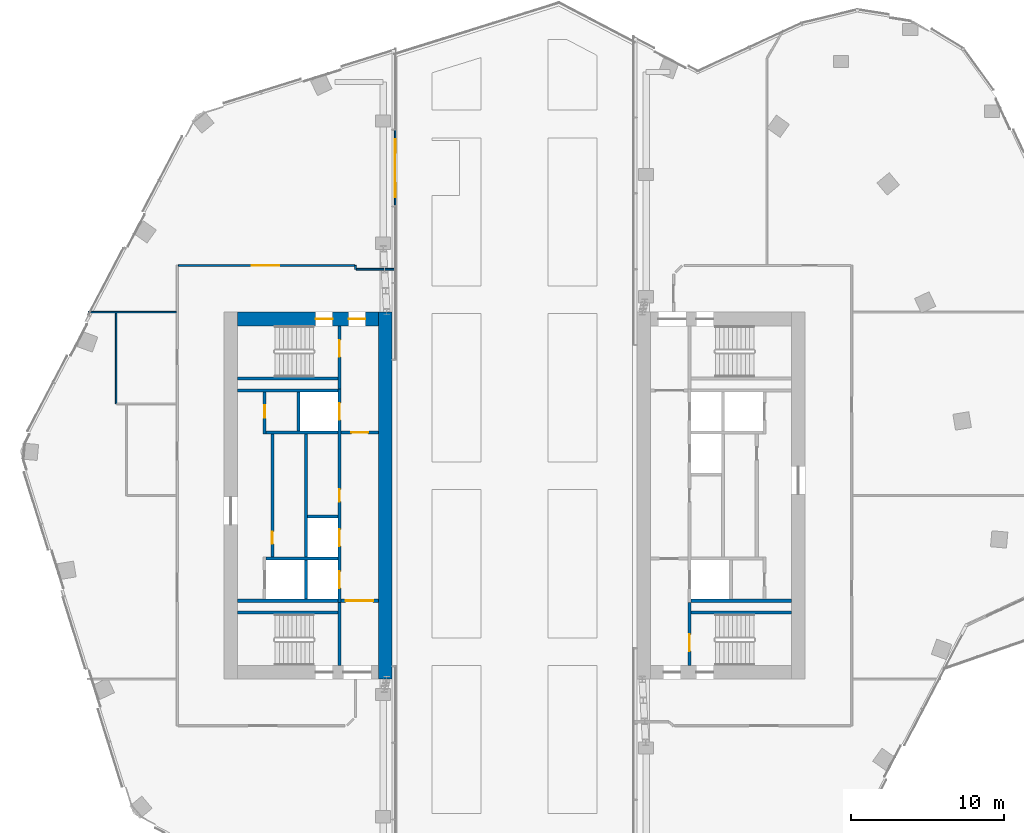
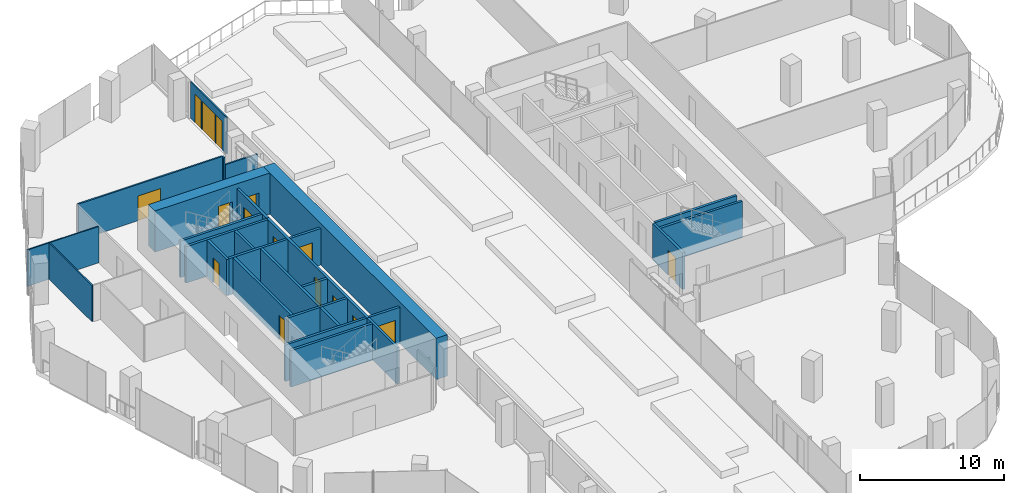
# One storey, part 20 of 26: 28 walls, 14 doors, 2 windows, 16 openings.
"""IFC4 building model written with IfcOpenShell, lengths in metres."""

from ifc_helpers import new_model, si_unit, direction, frame, frame_2d, origin, place, context, subcontext, project, spatial, rectangle, extrude, material, layer, layer_set, type_object, element, fill, save


model = new_model("IFC4")

# Units and contexts
model_context = context("Model", 3, precision=1e-05, world=origin(), true_north=direction((0.0, 1.0)))
body_context = subcontext(model_context, "Body", "Model", "MODEL_VIEW")
ifc_project = project(units=[si_unit("LENGTHUNIT", "METRE"), si_unit("AREAUNIT", "SQUARE_METRE"), si_unit("VOLUMEUNIT", "CUBIC_METRE"), si_unit("PLANEANGLEUNIT", "RADIAN"), si_unit("MASSUNIT", "GRAM", prefix="KILO")], contexts=[model_context])

# Site, building, storey
site_placement = place(None, origin())
site = spatial("IfcSite", under=ifc_project, at=site_placement, CompositionType="ELEMENT")
building_placement = place(site_placement, origin())
building = spatial("IfcBuilding", under=site, at=building_placement, Name="Orlundy Tower", CompositionType="ELEMENT")
storey_placement = place(building_placement, frame((0.0, 0.0, 253.5)))
storey = spatial("IfcBuildingStorey", under=building, at=storey_placement, Name="L67", CompositionType="ELEMENT", Elevation=253.5)

# Wall, openings, doors
ifc_material_1 = material(Name="Concrete C60/75", Category="concrete")
ifc_layer_1 = layer(ifc_material_1, 0.89990234375)
ifc_layer_set_1 = layer_set([ifc_layer_1], Name="CORE WALL 900 C60/75")
wall_type_1 = type_object("IfcWallType", Name="CORE WALL 900 C60/75", PredefinedType="SHEAR", material=ifc_layer_set_1)
wall_1_placement = place(storey_placement, frame((-18.10009765625, 11.550048828125, 0.0), z_axis=(0.0, 0.0, 1.0), x_axis=(1.0, 0.0, 0.0)))
wall_1 = element("IfcWall", 1, at=wall_1_placement, inside=storey, type_object=wall_type_1, Name="Core wall W-N L67", PredefinedType="SHEAR", context=body_context, shape_type="SweptSolid", body=[
    extrude(rectangle(XDim=9.2001953125, YDim=0.89990234375, at=frame_2d((4.60009765625, 0.0))), origin(), (0.0, 0.0, 1.0), 3.5),
])
opening_1_placement = place(wall_1_placement, frame((7.25, 0.0, 0.0)))
opening_1 = element("IfcOpeningElement", 2, at=opening_1_placement, cuts=wall_1, Name="Opening 51009", PredefinedType="OPENING", context=body_context, shape_type="SweptSolid", body=[
    extrude(rectangle(XDim=1.10009765625, YDim=2.10009765625, at=frame_2d((0.550048828125, 1.050048828125))), frame((0.0, 0.4599609375, 0.0), z_axis=(0.0, -1.0, 0.0), x_axis=(1.0, 0.0, 0.0)), (0.0, 0.0, 1.0), 0.919921875),
])
opening_2_placement = place(wall_1_placement, frame((5.10009765625, 0.0, 0.0)))
opening_2 = element("IfcOpeningElement", 3, at=opening_2_placement, cuts=wall_1, Name="Opening 51013", PredefinedType="OPENING", context=body_context, shape_type="SweptSolid", body=[
    extrude(rectangle(XDim=1.10009765625, YDim=2.10009765625, at=frame_2d((0.550048828125, 1.050048828125))), frame((0.0, 0.4599609375, 0.0), z_axis=(0.0, -1.0, 0.0), x_axis=(1.0, 0.0, 0.0)), (0.0, 0.0, 1.0), 0.919921875),
])
ifc_material_2 = material(Name="Steel door set", Category="steel")
door_type_1 = type_object("IfcDoorType", Name="Fire-fighting Lobby Door 1100x2100", OperationType="SINGLE_SWING_LEFT", PredefinedType="DOOR", material=ifc_material_2)
door_1_placement = place(opening_1_placement, origin())
door_1 = element("IfcDoor", 4, at=door_1_placement, inside=storey, type_object=door_type_1, Name="Fire-fighting lobby door 51009", OperationType="SINGLE_SWING_RIGHT", OverallHeight=2.10009765625, OverallWidth=1.10009765625, PredefinedType="DOOR", context=body_context, shape_type="SweptSolid", body=[
    extrude(rectangle(XDim=1.10009765625, YDim=2.10009765625, at=frame_2d((0.550048828125, 1.050048828125))), frame((0.0, 0.02490234375, 0.0), z_axis=(0.0, -1.0, 0.0), x_axis=(1.0, 0.0, 0.0)), (0.0, 0.0, 1.0), 0.050048828125),
])
fill(opening_1, door_1)
ifc_material_3 = material(Name="Steel door set", Category="steel")
door_type_2 = type_object("IfcDoorType", Name="Stair Door 1100x2100", OperationType="SINGLE_SWING_LEFT", PredefinedType="DOOR", material=ifc_material_3)
door_2_placement = place(opening_2_placement, origin())
door_2 = element("IfcDoor", 5, at=door_2_placement, inside=storey, type_object=door_type_2, Name="Stair door 51013", OperationType="SINGLE_SWING_RIGHT", OverallHeight=2.10009765625, OverallWidth=1.10009765625, PredefinedType="DOOR", context=body_context, shape_type="SweptSolid", body=[
    extrude(rectangle(XDim=1.10009765625, YDim=2.10009765625, at=frame_2d((0.550048828125, 1.050048828125))), frame((0.0, 0.02490234375, 0.0), z_axis=(0.0, -1.0, 0.0), x_axis=(1.0, 0.0, 0.0)), (0.0, 0.0, 1.0), 0.050048828125),
])
fill(opening_2, door_2)

# Walls
wall_2_placement = place(storey_placement, frame((-8.449951171875, -12.0, 0.0), z_axis=(0.0, 0.0, 1.0), x_axis=(0.0, 1.0, 0.0)))
element("IfcWall", 6, at=wall_2_placement, inside=storey, type_object=wall_type_1, Name="Core wall W-E L67", PredefinedType="SHEAR", context=body_context, shape_type="SweptSolid", body=[
    extrude(rectangle(XDim=24.0, YDim=0.89990234375, at=frame_2d((12.0, 0.0))), origin(), (0.0, 0.0, 1.0), 3.5),
])
ifc_material_4 = material(Name="Gypsum board partition")
ifc_layer_2 = layer(ifc_material_4, 0.10009765625)
ifc_layer_set_2 = layer_set([ifc_layer_2], Name="Floor partition 100")
wall_type_2 = type_object("IfcWallType", Name="Floor partition 100", PredefinedType="PARTITIONING", material=ifc_layer_set_2)
wall_3_placement = place(storey_placement, frame((-27.864013671875, 12.0, 0.0), z_axis=(0.0, 0.0, 1.0), x_axis=(1.0, 0.0, 0.0)))
element("IfcWall", 7, at=wall_3_placement, inside=storey, type_object=wall_type_2, Name="wall-int-L67-009", PredefinedType="PARTITIONING", context=body_context, shape_type="SweptSolid", body=[
    extrude(rectangle(XDim=5.7509765625, YDim=0.10009765625, at=frame_2d((2.87548828125, 0.0))), origin(), (0.0, 0.0, 1.0), 3.080078125),
])
wall_4_placement = place(storey_placement, frame((-26.048095703125, 6.0009765625, 0.0), z_axis=(0.0, 0.0, 1.0), x_axis=(0.0, 1.0, 0.0)))
element("IfcWall", 8, at=wall_4_placement, inside=storey, type_object=wall_type_2, Name="wall-int-L67-025", PredefinedType="PARTITIONING", context=body_context, shape_type="SweptSolid", body=[
    extrude(rectangle(XDim=5.948974609375, YDim=0.10009765625, at=frame_2d((2.974609375, 0.0))), origin(), (0.0, 0.0, 1.0), 3.080078125),
])

# Wall, opening, door
ifc_material_5 = material(Name="Gypsum board partition, double layer")
ifc_layer_3 = layer(ifc_material_5, 0.125)
ifc_layer_set_3 = layer_set([ifc_layer_3], Name="Floor partition 125")
wall_type_3 = type_object("IfcWallType", Name="Floor partition 125", PredefinedType="PARTITIONING", material=ifc_layer_set_3)
wall_5_placement = place(storey_placement, frame((-21.988037109375, 15.051025390625, 0.0), z_axis=(0.0, 0.0, 1.0), x_axis=(1.0, 0.0, 0.0)))
wall_5 = element("IfcWall", 9, at=wall_5_placement, inside=storey, type_object=wall_type_3, Name="wall-int-L67-012", PredefinedType="PARTITIONING", context=body_context, shape_type="SweptSolid", body=[
    extrude(rectangle(XDim=11.525146484375, YDim=0.125, at=frame_2d((5.7626953125, 0.0))), origin(), (0.0, 0.0, 1.0), 3.080078125),
])
opening_3_placement = place(wall_5_placement, frame((4.78759765625, 0.0, 0.0)))
opening_3 = element("IfcOpeningElement", 10, at=opening_3_placement, cuts=wall_5, Name="Opening 51106", PredefinedType="OPENING", context=body_context, shape_type="SweptSolid", body=[
    extrude(rectangle(XDim=1.800048828125, YDim=2.10009765625, at=frame_2d((0.89990234375, 1.050048828125))), frame((0.0, 0.072509765625, 0.0), z_axis=(0.0, -1.0, 0.0), x_axis=(1.0, 0.0, 0.0)), (0.0, 0.0, 1.0), 0.14501953125),
])
ifc_material_6 = material(Name="Timber door leaf", Category="wood")
door_type_3 = type_object("IfcDoorType", Name="Floor door double 1800 FD30S", OperationType="NOTDEFINED", PredefinedType="DOOR", material=ifc_material_6)
door_3_placement = place(opening_3_placement, origin())
door_3 = element("IfcDoor", 11, at=door_3_placement, inside=storey, type_object=door_type_3, Name="Door 51106", OperationType="DOUBLE_DOOR_SINGLE_SWING", OverallHeight=2.10009765625, OverallWidth=1.800048828125, PredefinedType="DOOR", context=body_context, shape_type="SweptSolid", body=[
    extrude(rectangle(XDim=1.800048828125, YDim=2.10009765625, at=frame_2d((0.89990234375, 1.050048828125))), frame((0.0, 0.02490234375, 0.0), z_axis=(0.0, -1.0, 0.0), x_axis=(1.0, 0.0, 0.0)), (0.0, 0.0, 1.0), 0.050048828125),
])
fill(opening_3, door_3)

# Walls
wall_6_placement = place(storey_placement, frame((-10.39892578125, 14.801025390625, 0.0), z_axis=(0.0, 0.0, 1.0), x_axis=(0.0, 1.0, 0.0)))
element("IfcWall", 12, at=wall_6_placement, inside=storey, type_object=wall_type_3, Name="wall-int-L67-022", PredefinedType="PARTITIONING", context=body_context, shape_type="SweptSolid", body=[
    extrude(rectangle(XDim=0.2490234375, YDim=0.125, at=frame_2d((0.12451171875, 0.0))), origin(), (0.0, 0.0, 1.0), 3.080078125),
])
ifc_material_7 = material(Name="Gypsum board partition, double layer")
ifc_layer_4 = layer(ifc_material_7, 0.125)
ifc_layer_set_4 = layer_set([ifc_layer_4], Name="Floor partition 125 B")
wall_type_4 = type_object("IfcWallType", Name="Floor partition 125 B", PredefinedType="PARTITIONING", material=ifc_layer_set_4)
wall_7_placement = place(storey_placement, frame((-10.3359375, 14.801025390625, 0.0), z_axis=(0.0, 0.0, 1.0), x_axis=(1.0, 0.0, 0.0)))
element("IfcWall", 13, at=wall_7_placement, inside=storey, type_object=wall_type_4, Name="wall-int-L67-011", PredefinedType="PARTITIONING", context=body_context, shape_type="SweptSolid", body=[
    extrude(rectangle(XDim=2.5859375, YDim=0.125, at=frame_2d((1.29296875, 0.0))), origin(), (0.0, 0.0, 1.0), 2.496337890625),
])

# Wall, openings, windows, door
ifc_material_8 = material(Name="Aluminium bronze and tinted glass", Category="aluminium")
ifc_layer_5 = layer(ifc_material_8, 0.10009765625)
ifc_layer_set_5 = layer_set([ifc_layer_5], Name="Glazed door screen")
wall_type_5 = type_object("IfcWallType", Name="Glazed door screen", PredefinedType="STANDARD", material=ifc_layer_set_5)
wall_8_placement = place(storey_placement, frame((-7.81005859375, 23.919189453125, 0.0), z_axis=(0.0, 0.0, 1.0), x_axis=(0.0, -1.0, 0.0)))
wall_8 = element("IfcWall", 14, at=wall_8_placement, inside=storey, type_object=wall_type_5, Name="Glazed door screen", PredefinedType="STANDARD", context=body_context, shape_type="SweptSolid", body=[
    extrude(rectangle(XDim=5.010986328125, YDim=0.10009765625, at=frame_2d((2.50537109375, 0.0))), origin(), (0.0, 0.0, 1.0), 3.10009765625),
])
opening_4_placement = place(wall_8_placement, frame((1.60546875, 0.0, 0.0)))
opening_4 = element("IfcOpeningElement", 15, at=opening_4_placement, cuts=wall_8, Name="Opening 51940", PredefinedType="OPENING", context=body_context, shape_type="SweptSolid", body=[
    extrude(rectangle(XDim=1.800048828125, YDim=2.39990234375, at=frame_2d((0.89990234375, 1.199951171875))), frame((0.0, 0.06005859375, 0.0), z_axis=(0.0, -1.0, 0.0), x_axis=(1.0, 0.0, 0.0)), (0.0, 0.0, 1.0), 0.1201171875),
])
opening_5_placement = place(wall_8_placement, frame((0.60546875, 0.0, 0.0)))
opening_5 = element("IfcOpeningElement", 16, at=opening_5_placement, cuts=wall_8, Name="Opening W02", PredefinedType="OPENING", context=body_context, shape_type="SweptSolid", body=[
    extrude(rectangle(XDim=0.89990234375, YDim=2.39990234375, at=frame_2d((0.449951171875, 1.199951171875))), frame((0.0, 0.06005859375, 0.0), z_axis=(0.0, -1.0, 0.0), x_axis=(1.0, 0.0, 0.0)), (0.0, 0.0, 1.0), 0.1201171875),
])
opening_6_placement = place(wall_8_placement, frame((3.50537109375, 0.0, 0.0)))
opening_6 = element("IfcOpeningElement", 17, at=opening_6_placement, cuts=wall_8, Name="Opening W02", PredefinedType="OPENING", context=body_context, shape_type="SweptSolid", body=[
    extrude(rectangle(XDim=0.89990234375, YDim=2.39990234375, at=frame_2d((0.449951171875, 1.199951171875))), frame((0.0, 0.06005859375, 0.0), z_axis=(0.0, -1.0, 0.0), x_axis=(1.0, 0.0, 0.0)), (0.0, 0.0, 1.0), 0.1201171875),
])
ifc_material_9 = material(Name="Tinted glass in bronze aluminium frame", Category="aluminium")
window_type = type_object("IfcWindowType", Name="SL2 sidelight 900x2400", PartitioningType="SINGLE_PANEL", PredefinedType="WINDOW", material=ifc_material_9)
window_1_placement = place(opening_5_placement, origin())
window_1 = element("IfcWindow", 18, at=window_1_placement, inside=storey, type_object=window_type, Name="Window W02 L67", OverallHeight=2.39990234375, OverallWidth=0.89990234375, PartitioningType="SINGLE_PANEL", PredefinedType="WINDOW", context=body_context, shape_type="SweptSolid", body=[
    extrude(rectangle(XDim=0.89990234375, YDim=2.39990234375, at=frame_2d((0.449951171875, 1.199951171875))), frame((0.0, 0.030029296875, 0.0), z_axis=(0.0, -1.0, 0.0), x_axis=(1.0, 0.0, 0.0)), (0.0, 0.0, 1.0), 0.06005859375),
])
fill(opening_5, window_1)
window_2_placement = place(opening_6_placement, origin())
window_2 = element("IfcWindow", 19, at=window_2_placement, inside=storey, type_object=window_type, Name="Window W02 L67", OverallHeight=2.39990234375, OverallWidth=0.89990234375, PartitioningType="SINGLE_PANEL", PredefinedType="WINDOW", context=body_context, shape_type="SweptSolid", body=[
    extrude(rectangle(XDim=0.89990234375, YDim=2.39990234375, at=frame_2d((0.449951171875, 1.199951171875))), frame((0.0, 0.030029296875, 0.0), z_axis=(0.0, -1.0, 0.0), x_axis=(1.0, 0.0, 0.0)), (0.0, 0.0, 1.0), 0.06005859375),
])
fill(opening_6, window_2)
ifc_material_10 = material(Name="Aluminium bronze and tinted glass", Category="aluminium")
door_type_4 = type_object("IfcDoorType", Name="TD1 terrace door 1800x2400", OperationType="NOTDEFINED", PredefinedType="DOOR", material=ifc_material_10)
door_4_placement = place(opening_4_placement, origin())
door_4 = element("IfcDoor", 20, at=door_4_placement, inside=storey, type_object=door_type_4, Name="Door 51940", OperationType="DOUBLE_DOOR_SINGLE_SWING", OverallHeight=2.39990234375, OverallWidth=1.800048828125, PredefinedType="DOOR", context=body_context, shape_type="SweptSolid", body=[
    extrude(rectangle(XDim=1.800048828125, YDim=2.39990234375, at=frame_2d((0.89990234375, 1.199951171875))), frame((0.0, 0.02490234375, 0.0), z_axis=(0.0, -1.0, 0.0), x_axis=(1.0, 0.0, 0.0)), (0.0, 0.0, 1.0), 0.050048828125),
])
fill(opening_4, door_4)

# Wall, opening, door
ifc_material_11 = material(Name="Concrete C40/50", Category="concrete")
ifc_layer_6 = layer(ifc_material_11, 0.199951171875)
ifc_layer_set_6 = layer_set([ifc_layer_6], Name="Load-bearing Shaft Wall 200")
wall_type_6 = type_object("IfcWallType", Name="Load-bearing Shaft Wall 200", PredefinedType="SOLIDWALL", material=ifc_layer_set_6)
wall_9_placement = place(storey_placement, frame((-11.43994140625, 6.97509765625, 0.0), z_axis=(0.0, 0.0, 1.0), x_axis=(0.0, 1.0, 0.0)))
wall_9 = element("IfcWall", 21, at=wall_9_placement, inside=storey, type_object=wall_type_6, Name="Shaft wall W51-stair-end-n", PredefinedType="SOLIDWALL", context=body_context, shape_type="SweptSolid", body=[
    extrude(rectangle(XDim=4.125, YDim=0.199951171875, at=frame_2d((2.0625, 0.0))), origin(), (0.0, 0.0, 1.0), 3.090087890625),
])
opening_7_placement = place(wall_9_placement, frame((2.10009765625, 0.0, 0.0)))
opening_7 = element("IfcOpeningElement", 22, at=opening_7_placement, cuts=wall_9, Name="Opening 51015", PredefinedType="OPENING", context=body_context, shape_type="SweptSolid", body=[
    extrude(rectangle(XDim=1.10009765625, YDim=2.10009765625, at=frame_2d((0.550048828125, 1.050048828125))), frame((0.0, 0.110107421875, 0.0), z_axis=(0.0, -1.0, 0.0), x_axis=(1.0, 0.0, 0.0)), (0.0, 0.0, 1.0), 0.22021484375),
])
door_5_placement = place(opening_7_placement, origin())
door_5 = element("IfcDoor", 23, at=door_5_placement, inside=storey, type_object=door_type_1, Name="Fire-fighting lobby to stair door 51015", OperationType="SINGLE_SWING_RIGHT", OverallHeight=2.10009765625, OverallWidth=1.10009765625, PredefinedType="DOOR", context=body_context, shape_type="SweptSolid", body=[
    extrude(rectangle(XDim=1.10009765625, YDim=2.10009765625, at=frame_2d((0.550048828125, 1.050048828125))), frame((0.0, 0.02490234375, 0.0), z_axis=(0.0, -1.0, 0.0), x_axis=(1.0, 0.0, 0.0)), (0.0, 0.0, 1.0), 0.050048828125),
])
fill(opening_7, door_5)

# Walls
wall_10_placement = place(storey_placement, frame((-11.5400390625, 7.64990234375, 0.0), z_axis=(0.0, 0.0, 1.0), x_axis=(-1.0, 0.0, 0.0)))
element("IfcWall", 24, at=wall_10_placement, inside=storey, type_object=wall_type_6, Name="Shaft wall W51-stair-side-n", PredefinedType="SOLIDWALL", context=body_context, shape_type="SweptSolid", body=[
    extrude(rectangle(XDim=6.56005859375, YDim=0.199951171875, at=frame_2d((3.280029296875, 0.0))), origin(), (0.0, 0.0, 1.0), 3.090087890625),
])
wall_11_placement = place(storey_placement, frame((-11.43994140625, -11.10009765625, 0.0), z_axis=(0.0, 0.0, 1.0), x_axis=(0.0, 1.0, 0.0)))
element("IfcWall", 25, at=wall_11_placement, inside=storey, type_object=wall_type_6, Name="Shaft wall W51-stair-end-s", PredefinedType="SOLIDWALL", context=body_context, shape_type="SweptSolid", body=[
    extrude(rectangle(XDim=4.125, YDim=0.199951171875, at=frame_2d((2.0625, 0.0))), origin(), (0.0, 0.0, 1.0), 3.090087890625),
])
wall_12_placement = place(storey_placement, frame((-11.5400390625, -7.64990234375, 0.0), z_axis=(0.0, 0.0, 1.0), x_axis=(-1.0, 0.0, 0.0)))
element("IfcWall", 26, at=wall_12_placement, inside=storey, type_object=wall_type_6, Name="Shaft wall W51-stair-side-s", PredefinedType="SOLIDWALL", context=body_context, shape_type="SweptSolid", body=[
    extrude(rectangle(XDim=6.56005859375, YDim=0.199951171875, at=frame_2d((3.280029296875, 0.0))), origin(), (0.0, 0.0, 1.0), 3.090087890625),
])

# Wall, opening, door
wall_13_placement = place(storey_placement, frame((11.43994140625, -6.97509765625, 0.0), z_axis=(0.0, 0.0, 1.0), x_axis=(0.0, -1.0, 0.0)))
wall_13 = element("IfcWall", 27, at=wall_13_placement, inside=storey, type_object=wall_type_6, Name="Shaft wall E51-stair-end-n", PredefinedType="SOLIDWALL", context=body_context, shape_type="SweptSolid", body=[
    extrude(rectangle(XDim=4.125, YDim=0.199951171875, at=frame_2d((2.0625, 0.0))), origin(), (0.0, 0.0, 1.0), 3.090087890625),
])
opening_8_placement = place(wall_13_placement, frame((2.10009765625, 0.0, 0.0)))
opening_8 = element("IfcOpeningElement", 28, at=opening_8_placement, cuts=wall_13, Name="Opening 51064", PredefinedType="OPENING", context=body_context, shape_type="SweptSolid", body=[
    extrude(rectangle(XDim=1.10009765625, YDim=2.10009765625, at=frame_2d((0.550048828125, 1.050048828125))), frame((0.0, 0.110107421875, 0.0), z_axis=(0.0, -1.0, 0.0), x_axis=(1.0, 0.0, 0.0)), (0.0, 0.0, 1.0), 0.22021484375),
])
door_6_placement = place(opening_8_placement, origin())
door_6 = element("IfcDoor", 29, at=door_6_placement, inside=storey, type_object=door_type_1, Name="Fire-fighting lobby to stair door 51064", OperationType="SINGLE_SWING_RIGHT", OverallHeight=2.10009765625, OverallWidth=1.10009765625, PredefinedType="DOOR", context=body_context, shape_type="SweptSolid", body=[
    extrude(rectangle(XDim=1.10009765625, YDim=2.10009765625, at=frame_2d((0.550048828125, 1.050048828125))), frame((0.0, 0.02490234375, 0.0), z_axis=(0.0, -1.0, 0.0), x_axis=(1.0, 0.0, 0.0)), (0.0, 0.0, 1.0), 0.050048828125),
])
fill(opening_8, door_6)

# Wall
wall_14_placement = place(storey_placement, frame((11.5400390625, -7.64990234375, 0.0), z_axis=(0.0, 0.0, 1.0), x_axis=(1.0, 0.0, 0.0)))
element("IfcWall", 30, at=wall_14_placement, inside=storey, type_object=wall_type_6, Name="Shaft wall E51-stair-side-n", PredefinedType="SOLIDWALL", context=body_context, shape_type="SweptSolid", body=[
    extrude(rectangle(XDim=6.56005859375, YDim=0.199951171875, at=frame_2d((3.280029296875, 0.0))), origin(), (0.0, 0.0, 1.0), 3.090087890625),
])

# Wall, opening, door
ifc_material_12 = material(Name="Gypsum board partition on steel studs", Category="steel")
ifc_layer_7 = layer(ifc_material_12, 0.199951171875)
ifc_layer_set_7 = layer_set([ifc_layer_7], Name="Partition 200")
wall_type_7 = type_object("IfcWallType", Name="Partition 200", PredefinedType="PARTITIONING", material=ifc_layer_set_7)
wall_15_placement = place(storey_placement, frame((-8.89990234375, 4.125, 0.0), z_axis=(0.0, 0.0, 1.0), x_axis=(-1.0, 0.0, 0.0)))
wall_15 = element("IfcWall", 31, at=wall_15_placement, inside=storey, type_object=wall_type_7, Name="Partition wall W51-lobby-n", PredefinedType="PARTITIONING", context=body_context, shape_type="SweptSolid", body=[
    extrude(rectangle(XDim=2.440185546875, YDim=0.199951171875, at=frame_2d((1.22021484375, 0.0))), origin(), (0.0, 0.0, 1.0), 3.090087890625),
])
opening_9_placement = place(wall_15_placement, frame((0.669921875, 0.0, 0.0)))
opening_9 = element("IfcOpeningElement", 32, at=opening_9_placement, cuts=wall_15, Name="Opening 51010", PredefinedType="OPENING", context=body_context, shape_type="SweptSolid", body=[
    extrude(rectangle(XDim=1.10009765625, YDim=2.10009765625, at=frame_2d((0.550048828125, 1.050048828125))), frame((0.0, 0.110107421875, 0.0), z_axis=(0.0, -1.0, 0.0), x_axis=(1.0, 0.0, 0.0)), (0.0, 0.0, 1.0), 0.22021484375),
])
door_7_placement = place(opening_9_placement, origin())
door_7 = element("IfcDoor", 33, at=door_7_placement, inside=storey, type_object=door_type_1, Name="Lift lobby to fire-fighting lobby door 51010", OperationType="SINGLE_SWING_RIGHT", OverallHeight=2.10009765625, OverallWidth=1.10009765625, PredefinedType="DOOR", context=body_context, shape_type="SweptSolid", body=[
    extrude(rectangle(XDim=1.10009765625, YDim=2.10009765625, at=frame_2d((0.550048828125, 1.050048828125))), frame((0.0, 0.02490234375, 0.0), z_axis=(0.0, -1.0, 0.0), x_axis=(1.0, 0.0, 0.0)), (0.0, 0.0, 1.0), 0.050048828125),
])
fill(opening_9, door_7)

wall_16_placement = place(storey_placement, frame((-8.89990234375, -6.875, 0.0), z_axis=(0.0, 0.0, 1.0), x_axis=(-1.0, 0.0, 0.0)))
wall_16 = element("IfcWall", 34, at=wall_16_placement, inside=storey, type_object=wall_type_7, Name="Partition wall W51-end-s", PredefinedType="PARTITIONING", context=body_context, shape_type="SweptSolid", body=[
    extrude(rectangle(XDim=2.440185546875, YDim=0.199951171875, at=frame_2d((1.22021484375, 0.0))), origin(), (0.0, 0.0, 1.0), 3.090087890625),
])
opening_10_placement = place(wall_16_placement, frame((0.35009765625, 0.0, 0.0)))
opening_10 = element("IfcOpeningElement", 35, at=opening_10_placement, cuts=wall_16, Name="Opening 51011", PredefinedType="OPENING", context=body_context, shape_type="SweptSolid", body=[
    extrude(rectangle(XDim=1.800048828125, YDim=2.10009765625, at=frame_2d((0.89990234375, 1.050048828125))), frame((0.0, 0.110107421875, 0.0), z_axis=(0.0, -1.0, 0.0), x_axis=(1.0, 0.0, 0.0)), (0.0, 0.0, 1.0), 0.22021484375),
])
ifc_material_13 = material(Name="Timber door set", Category="wood")
door_type_5 = type_object("IfcDoorType", Name="Lobby Door 1800x2100", OperationType="DOUBLE_DOOR_DOUBLE_SWING", PredefinedType="DOOR", material=ifc_material_13)
door_8_placement = place(opening_10_placement, origin())
door_8 = element("IfcDoor", 36, at=door_8_placement, inside=storey, type_object=door_type_5, Name="Lift lobby to passage door 51011", OperationType="DOUBLE_DOOR_DOUBLE_SWING", OverallHeight=2.10009765625, OverallWidth=1.800048828125, PredefinedType="DOOR", context=body_context, shape_type="SweptSolid", body=[
    extrude(rectangle(XDim=1.800048828125, YDim=2.10009765625, at=frame_2d((0.89990234375, 1.050048828125))), frame((0.0, 0.02490234375, 0.0), z_axis=(0.0, -1.0, 0.0), x_axis=(1.0, 0.0, 0.0)), (0.0, 0.0, 1.0), 0.050048828125),
])
fill(opening_10, door_8)

# Walls
ifc_material_14 = material(Name="Fire-rated blockwork shaft wall", Category="masonry")
ifc_layer_8 = layer(ifc_material_14, 0.199951171875)
ifc_layer_set_8 = layer_set([ifc_layer_8], Name="Shaft Wall 200")
wall_type_8 = type_object("IfcWallType", Name="Shaft Wall 200", PredefinedType="SOLIDWALL", material=ifc_layer_set_8)
for number, where, z_axis, x_axis, name in (
    (37, (-11.5400390625, 6.875, 0.0), (0.0, 0.0, 1.0), (-1.0, 0.0, 0.0), "Shaft wall W51-zone-n"),
    (38, (-11.5400390625, -6.875, 0.0), (0.0, 0.0, 1.0), (-1.0, 0.0, 0.0), "Shaft wall W51-zone-s"),
):
    element("IfcWall", number, at=place(storey_placement, frame(where, z_axis=z_axis, x_axis=x_axis)), inside=storey, type_object=wall_type_8, Name=name, PredefinedType="SOLIDWALL", context=body_context, shape_type="SweptSolid", body=[
        extrude(rectangle(XDim=6.56005859375, YDim=0.199951171875, at=frame_2d((3.280029296875, 0.0))), origin(), (0.0, 0.0, 1.0), 3.090087890625),
    ])
wall_17_placement = place(storey_placement, frame((-11.5400390625, -4.125, 0.0), z_axis=(0.0, 0.0, 1.0), x_axis=(-1.0, 0.0, 0.0)))
element("IfcWall", 39, at=wall_17_placement, inside=storey, type_object=wall_type_8, Name="Shaft wall W51-cross-4.125", PredefinedType="SOLIDWALL", context=body_context, shape_type="SweptSolid", body=[
    extrude(rectangle(XDim=4.699951171875, YDim=0.199951171875, at=frame_2d((2.35009765625, 0.0))), origin(), (0.0, 0.0, 1.0), 3.090087890625),
])
wall_18_placement = place(storey_placement, frame((-11.5400390625, -1.375, 0.0), z_axis=(0.0, 0.0, 1.0), x_axis=(-1.0, 0.0, 0.0)))
element("IfcWall", 40, at=wall_18_placement, inside=storey, type_object=wall_type_8, Name="Shaft wall W51-cross-1.375", PredefinedType="SOLIDWALL", context=body_context, shape_type="SweptSolid", body=[
    extrude(rectangle(XDim=2.0, YDim=0.199951171875, at=frame_2d((1.0, 0.0))), origin(), (0.0, 0.0, 1.0), 3.090087890625),
])
wall_19_placement = place(storey_placement, frame((-11.5400390625, 4.125, 0.0), z_axis=(0.0, 0.0, 1.0), x_axis=(-1.0, 0.0, 0.0)))
element("IfcWall", 41, at=wall_19_placement, inside=storey, type_object=wall_type_8, Name="Shaft wall W51-cross+4.125", PredefinedType="SOLIDWALL", context=body_context, shape_type="SweptSolid", body=[
    extrude(rectangle(XDim=4.699951171875, YDim=0.199951171875, at=frame_2d((2.35009765625, 0.0))), origin(), (0.0, 0.0, 1.0), 3.090087890625),
])

# Wall, openings, doors
wall_20_placement = place(storey_placement, frame((-11.43994140625, -6.97509765625, 0.0), z_axis=(0.0, 0.0, 1.0), x_axis=(0.0, 1.0, 0.0)))
wall_20 = element("IfcWall", 42, at=wall_20_placement, inside=storey, type_object=wall_type_8, Name="Shaft wall W51-front-h", PredefinedType="SOLIDWALL", context=body_context, shape_type="SweptSolid", body=[
    extrude(rectangle(XDim=13.9501953125, YDim=0.199951171875, at=frame_2d((6.97509765625, 0.0))), origin(), (0.0, 0.0, 1.0), 3.090087890625),
])
opening_11_placement = place(wall_20_placement, frame((0.925048828125, 0.0, 0.0)))
opening_11 = element("IfcOpeningElement", 43, at=opening_11_placement, cuts=wall_20, Name="Opening 51001", PredefinedType="OPENING", context=body_context, shape_type="SweptSolid", body=[
    extrude(rectangle(XDim=1.10009765625, YDim=2.10009765625, at=frame_2d((0.550048828125, 1.050048828125))), frame((0.0, 0.110107421875, 0.0), z_axis=(0.0, -1.0, 0.0), x_axis=(1.0, 0.0, 0.0)), (0.0, 0.0, 1.0), 0.22021484375),
])
opening_12_placement = place(wall_20_placement, frame((3.675048828125, 0.0, 0.0)))
opening_12 = element("IfcOpeningElement", 44, at=opening_12_placement, cuts=wall_20, Name="Opening 51003", PredefinedType="OPENING", context=body_context, shape_type="SweptSolid", body=[
    extrude(rectangle(XDim=1.10009765625, YDim=2.10009765625, at=frame_2d((0.550048828125, 1.050048828125))), frame((0.0, 0.110107421875, 0.0), z_axis=(0.0, -1.0, 0.0), x_axis=(1.0, 0.0, 0.0)), (0.0, 0.0, 1.0), 0.22021484375),
])
opening_13_placement = place(wall_20_placement, frame((11.925048828125, 0.0, 0.0)))
opening_13 = element("IfcOpeningElement", 45, at=opening_13_placement, cuts=wall_20, Name="Opening 51004", PredefinedType="OPENING", context=body_context, shape_type="SweptSolid", body=[
    extrude(rectangle(XDim=1.10009765625, YDim=2.10009765625, at=frame_2d((0.550048828125, 1.050048828125))), frame((0.0, 0.110107421875, 0.0), z_axis=(0.0, -1.0, 0.0), x_axis=(1.0, 0.0, 0.0)), (0.0, 0.0, 1.0), 0.22021484375),
])
opening_14_placement = place(wall_20_placement, frame((6.574951171875, 0.0, 0.0)))
opening_14 = element("IfcOpeningElement", 46, at=opening_14_placement, cuts=wall_20, Name="Opening 51006", PredefinedType="OPENING", context=body_context, shape_type="SweptSolid", body=[
    extrude(rectangle(XDim=0.800048828125, YDim=2.10009765625, at=frame_2d((0.39990234375, 1.050048828125))), frame((0.0, 0.110107421875, 0.0), z_axis=(0.0, -1.0, 0.0), x_axis=(1.0, 0.0, 0.0)), (0.0, 0.0, 1.0), 0.22021484375),
])
ifc_material_15 = material(Name="Steel door set", Category="steel")
door_type_6 = type_object("IfcDoorType", Name="Landing Door 1100x2100", OperationType="DOUBLE_DOOR_SLIDING", PredefinedType="DOOR", material=ifc_material_15)
door_9_placement = place(opening_11_placement, origin())
door_9 = element("IfcDoor", 47, at=door_9_placement, inside=storey, type_object=door_type_6, Name="Lift landing door LP-22 51001", OperationType="DOUBLE_DOOR_SLIDING", OverallHeight=2.10009765625, OverallWidth=1.10009765625, PredefinedType="DOOR", context=body_context, shape_type="SweptSolid", body=[
    extrude(rectangle(XDim=1.10009765625, YDim=2.10009765625, at=frame_2d((0.550048828125, 1.050048828125))), frame((0.0, 0.02490234375, 0.0), z_axis=(0.0, -1.0, 0.0), x_axis=(1.0, 0.0, 0.0)), (0.0, 0.0, 1.0), 0.050048828125),
])
fill(opening_11, door_9)
door_10_placement = place(opening_12_placement, origin())
door_10 = element("IfcDoor", 48, at=door_10_placement, inside=storey, type_object=door_type_6, Name="Lift landing door LP-21 51003", OperationType="DOUBLE_DOOR_SLIDING", OverallHeight=2.10009765625, OverallWidth=1.10009765625, PredefinedType="DOOR", context=body_context, shape_type="SweptSolid", body=[
    extrude(rectangle(XDim=1.10009765625, YDim=2.10009765625, at=frame_2d((0.550048828125, 1.050048828125))), frame((0.0, 0.02490234375, 0.0), z_axis=(0.0, -1.0, 0.0), x_axis=(1.0, 0.0, 0.0)), (0.0, 0.0, 1.0), 0.050048828125),
])
fill(opening_12, door_10)
door_11_placement = place(opening_13_placement, origin())
door_11 = element("IfcDoor", 49, at=door_11_placement, inside=storey, type_object=door_type_6, Name="Lift landing door FL1 51004", OperationType="DOUBLE_DOOR_SLIDING", OverallHeight=2.10009765625, OverallWidth=1.10009765625, PredefinedType="DOOR", context=body_context, shape_type="SweptSolid", body=[
    extrude(rectangle(XDim=1.10009765625, YDim=2.10009765625, at=frame_2d((0.550048828125, 1.050048828125))), frame((0.0, 0.02490234375, 0.0), z_axis=(0.0, -1.0, 0.0), x_axis=(1.0, 0.0, 0.0)), (0.0, 0.0, 1.0), 0.050048828125),
])
fill(opening_13, door_11)
ifc_material_16 = material(Name="Timber door set", Category="wood")
door_type_7 = type_object("IfcDoorType", Name="Riser Door 800x2100", OperationType="SINGLE_SWING_LEFT", PredefinedType="DOOR", material=ifc_material_16)
door_12_placement = place(opening_14_placement, origin())
door_12 = element("IfcDoor", 50, at=door_12_placement, inside=storey, type_object=door_type_7, Name="Security Store door 51006", OperationType="SINGLE_SWING_LEFT", OverallHeight=2.10009765625, OverallWidth=0.800048828125, PredefinedType="DOOR", context=body_context, shape_type="SweptSolid", body=[
    extrude(rectangle(XDim=0.800048828125, YDim=2.10009765625, at=frame_2d((0.39990234375, 1.050048828125))), frame((0.0, 0.02490234375, 0.0), z_axis=(0.0, -1.0, 0.0), x_axis=(1.0, 0.0, 0.0)), (0.0, 0.0, 1.0), 0.050048828125),
])
fill(opening_14, door_12)

# Walls
wall_21_placement = place(storey_placement, frame((-13.639892578125, -6.77490234375, 0.0), z_axis=(0.0, 0.0, 1.0), x_axis=(0.0, 1.0, 0.0)))
element("IfcWall", 51, at=wall_21_placement, inside=storey, type_object=wall_type_8, Name="Shaft wall W51-mid-a", PredefinedType="SOLIDWALL", context=body_context, shape_type="SweptSolid", body=[
    extrude(rectangle(XDim=2.5498046875, YDim=0.199951171875, at=frame_2d((1.27490234375, 0.0))), origin(), (0.0, 0.0, 1.0), 3.090087890625),
])
wall_22_placement = place(storey_placement, frame((-13.639892578125, -4.02490234375, 0.0), z_axis=(0.0, 0.0, 1.0), x_axis=(0.0, 1.0, 0.0)))
element("IfcWall", 52, at=wall_22_placement, inside=storey, type_object=wall_type_8, Name="Shaft wall W51-mid-a.1", PredefinedType="SOLIDWALL", context=body_context, shape_type="SweptSolid", body=[
    extrude(rectangle(XDim=8.0498046875, YDim=0.199951171875, at=frame_2d((4.02490234375, 0.0))), origin(), (0.0, 0.0, 1.0), 3.090087890625),
])
wall_23_placement = place(storey_placement, frame((-14.139892578125, 4.22509765625, 0.0), z_axis=(0.0, 0.0, 1.0), x_axis=(0.0, 1.0, 0.0)))
element("IfcWall", 53, at=wall_23_placement, inside=storey, type_object=wall_type_8, Name="Shaft wall W51-mid-b", PredefinedType="SOLIDWALL", context=body_context, shape_type="SweptSolid", body=[
    extrude(rectangle(XDim=2.5498046875, YDim=0.199951171875, at=frame_2d((1.27490234375, 0.0))), origin(), (0.0, 0.0, 1.0), 3.090087890625),
])

# Wall, opening, door
wall_24_placement = place(storey_placement, frame((-15.840087890625, -4.02490234375, 0.0), z_axis=(0.0, 0.0, 1.0), x_axis=(0.0, 1.0, 0.0)))
wall_24 = element("IfcWall", 54, at=wall_24_placement, inside=storey, type_object=wall_type_8, Name="Shaft wall W51-front-o-b", PredefinedType="SOLIDWALL", context=body_context, shape_type="SweptSolid", body=[
    extrude(rectangle(XDim=8.0498046875, YDim=0.199951171875, at=frame_2d((4.02490234375, 0.0))), origin(), (0.0, 0.0, 1.0), 3.090087890625),
])
opening_15_placement = place(wall_24_placement, frame((0.875, 0.0, 0.0)))
opening_15 = element("IfcOpeningElement", 55, at=opening_15_placement, cuts=wall_24, Name="Opening 51005", PredefinedType="OPENING", context=body_context, shape_type="SweptSolid", body=[
    extrude(rectangle(XDim=0.800048828125, YDim=2.10009765625, at=frame_2d((0.39990234375, 1.050048828125))), frame((0.0, 0.110107421875, 0.0), z_axis=(0.0, -1.0, 0.0), x_axis=(1.0, 0.0, 0.0)), (0.0, 0.0, 1.0), 0.22021484375),
])
door_13_placement = place(opening_15_placement, origin())
door_13 = element("IfcDoor", 56, at=door_13_placement, inside=storey, type_object=door_type_7, Name="HVAC Riser door 51005", OperationType="SINGLE_SWING_LEFT", OverallHeight=2.10009765625, OverallWidth=0.800048828125, PredefinedType="DOOR", context=body_context, shape_type="SweptSolid", body=[
    extrude(rectangle(XDim=0.800048828125, YDim=2.10009765625, at=frame_2d((0.39990234375, 1.050048828125))), frame((0.0, 0.02490234375, 0.0), z_axis=(0.0, -1.0, 0.0), x_axis=(1.0, 0.0, 0.0)), (0.0, 0.0, 1.0), 0.050048828125),
])
fill(opening_15, door_13)

wall_25_placement = place(storey_placement, frame((-16.340087890625, 4.02490234375, 0.0), z_axis=(0.0, 0.0, 1.0), x_axis=(0.0, 1.0, 0.0)))
wall_25 = element("IfcWall", 57, at=wall_25_placement, inside=storey, type_object=wall_type_8, Name="Shaft wall W51-front-o-c", PredefinedType="SOLIDWALL", context=body_context, shape_type="SweptSolid", body=[
    extrude(rectangle(XDim=2.75, YDim=0.199951171875, at=frame_2d((1.375, 0.0))), origin(), (0.0, 0.0, 1.0), 3.090087890625),
])
opening_16_placement = place(wall_25_placement, frame((1.074951171875, 0.0, 0.0)))
opening_16 = element("IfcOpeningElement", 58, at=opening_16_placement, cuts=wall_25, Name="Opening 51007", PredefinedType="OPENING", context=body_context, shape_type="SweptSolid", body=[
    extrude(rectangle(XDim=0.800048828125, YDim=2.10009765625, at=frame_2d((0.39990234375, 1.050048828125))), frame((0.0, 0.110107421875, 0.0), z_axis=(0.0, -1.0, 0.0), x_axis=(1.0, 0.0, 0.0)), (0.0, 0.0, 1.0), 0.22021484375),
])
door_14_placement = place(opening_16_placement, origin())
door_14 = element("IfcDoor", 59, at=door_14_placement, inside=storey, type_object=door_type_7, Name="Cable Riser Room door 51007", OperationType="SINGLE_SWING_LEFT", OverallHeight=2.10009765625, OverallWidth=0.800048828125, PredefinedType="DOOR", context=body_context, shape_type="SweptSolid", body=[
    extrude(rectangle(XDim=0.800048828125, YDim=2.10009765625, at=frame_2d((0.39990234375, 1.050048828125))), frame((0.0, 0.02490234375, 0.0), z_axis=(0.0, -1.0, 0.0), x_axis=(1.0, 0.0, 0.0)), (0.0, 0.0, 1.0), 0.050048828125),
])
fill(opening_16, door_14)

# Wall
wall_26_placement = place(storey_placement, frame((11.5400390625, -6.875, 0.0), z_axis=(0.0, 0.0, 1.0), x_axis=(1.0, 0.0, 0.0)))
element("IfcWall", 60, at=wall_26_placement, inside=storey, type_object=wall_type_8, Name="Shaft wall E51-zone-n", PredefinedType="SOLIDWALL", context=body_context, shape_type="SweptSolid", body=[
    extrude(rectangle(XDim=6.56005859375, YDim=0.199951171875, at=frame_2d((3.280029296875, 0.0))), origin(), (0.0, 0.0, 1.0), 3.090087890625),
])

save(model, "model.ifc")
